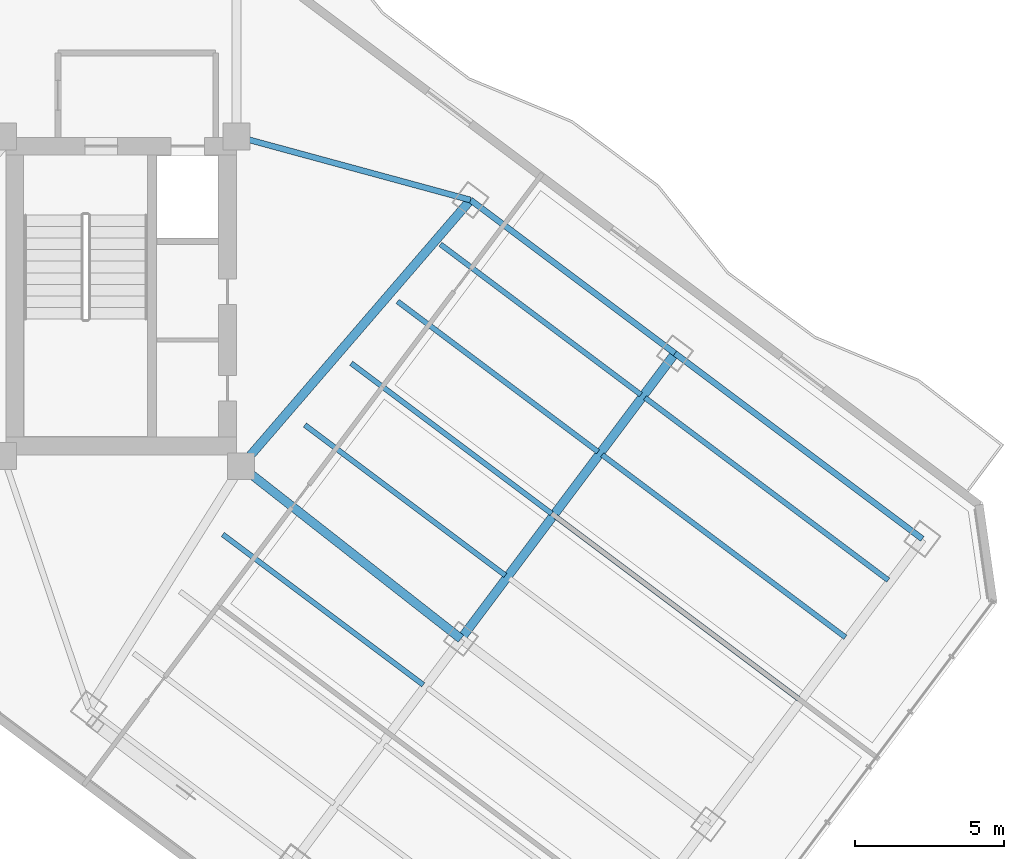
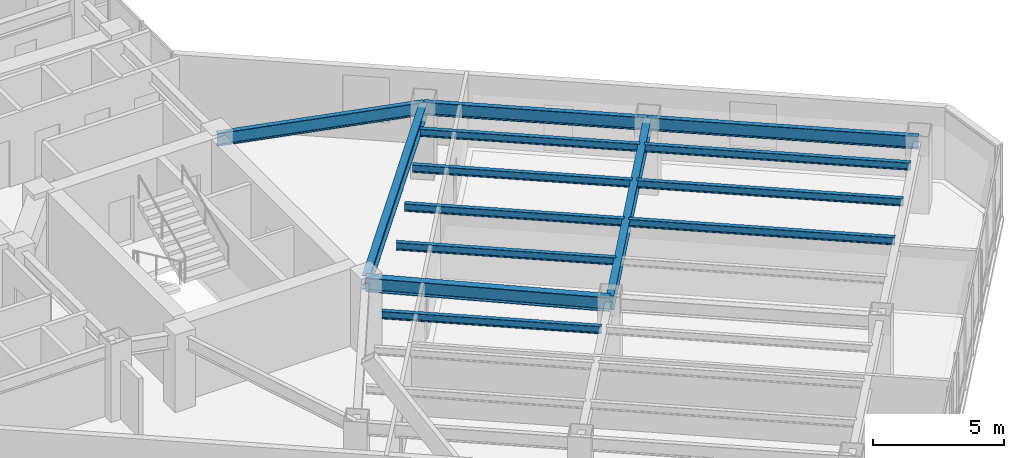
# One storey, part 11 of 30: 14 beams.
"""IFC4 building model written with IfcOpenShell, lengths in metres."""

from ifc_helpers import new_model, si_unit, direction, frame, origin, origin_2d, place, context, subcontext, project, spatial, i_section, extrude, material, material_profile, profile_set, type_object, element, save


model = new_model("IFC4")

# Units and contexts
model_context = context("Model", 3, precision=1e-05, world=origin(), true_north=direction((0.0, 1.0)))
body_context = subcontext(model_context, "Body", "Model", "MODEL_VIEW")
ifc_project = project(units=[si_unit("LENGTHUNIT", "METRE"), si_unit("AREAUNIT", "SQUARE_METRE"), si_unit("VOLUMEUNIT", "CUBIC_METRE"), si_unit("PLANEANGLEUNIT", "RADIAN"), si_unit("MASSUNIT", "GRAM", prefix="KILO")], contexts=[model_context])

# Site, building, storey
site_placement = place(None, origin())
site = spatial("IfcSite", under=ifc_project, at=site_placement, CompositionType="ELEMENT")
building_placement = place(site_placement, origin())
building = spatial("IfcBuilding", under=site, at=building_placement, Name="Hatsunagi Terrace Concourse", CompositionType="ELEMENT")
storey_placement = place(building_placement, frame((0.0, 0.0, 101.25)))
storey = spatial("IfcBuildingStorey", under=building, at=storey_placement, Name="L26", CompositionType="ELEMENT", Elevation=101.25)

# Beams
ifc_material_1 = material(Name="Steel SN490B", Category="steel")
ifc_material_profile_1 = material_profile(ifc_material_1, i_section(OverallWidth=0.175048828125, OverallDepth=0.35009765625, WebThickness=0.007080078125, FlangeThickness=0.010986328125, FilletRadius=0.012939453125, at=origin_2d()), Name="H-350x175x7x11")
ifc_profile_set_1 = profile_set([ifc_material_profile_1], Name="Steel SN490B")
beam_type_1 = type_object("IfcBeamType", Name="HotelJoist_H_350x175", PredefinedType="JOIST", material=ifc_profile_set_1)
for number, where, z_axis, x_axis, name in (
    (1, (43.18798828125, 21.908935546875, 3.175048828125), (0.800003475366, -0.59999536615, 0.0), (0.59999536615, 0.800003475366, 0.0), "Beam J-02 J-L26-SE-2-96"),
    (2, (45.947998046875, 25.589111328125, 3.175048828125), (0.799989573921, -0.600013901187, 0.0), (0.600013901187, 0.799989573921, 0.0), "Beam J-02 J-L26-SE-2-142"),
    (3, (47.508056640625, 27.6689453125, 3.175048828125), (0.800003475366, -0.59999536615, 0.0), (0.59999536615, 0.800003475366, 0.0), "Beam J-02 J-L26-SE-2-168"),
    (4, (49.068115234375, 29.7490234375, 3.175048828125), (0.799989573921, -0.600013901187, 0.0), (0.600013901187, 0.799989573921, 0.0), "Beam J-02 J-L26-SE-2-194"),
    (5, (50.508056640625, 31.6689453125, 3.175048828125), (0.800003475366, -0.59999536615, 0.0), (0.59999536615, 0.800003475366, 0.0), "Beam J-02 J-L26-SE-2-218"),
):
    element("IfcBeam", number, at=place(storey_placement, frame(where, z_axis=z_axis, x_axis=x_axis)), inside=storey, type_object=beam_type_1, Name=name, PredefinedType="JOIST", context=body_context, shape_type="SweptSolid", body=[
        extrude(i_section(OverallWidth=0.175048828125, OverallDepth=0.35009765625, WebThickness=0.007080078125, FlangeThickness=0.010986328125, FilletRadius=0.012939453125, at=origin_2d()), origin(), (0.0, 0.0, 1.0), 8.429931640625),
    ])
beam_1_placement = place(storey_placement, frame((54.387939453125, 22.509033203125, 3.175048828125), z_axis=(0.800005727586, -0.599992363142, 0.0), x_axis=(0.599992363142, 0.800005727586, 0.0)))
element("IfcBeam", 6, at=beam_1_placement, inside=storey, type_object=beam_type_1, Name="Beam J-02 J-L26-SE-3-168", PredefinedType="JOIST", context=body_context, shape_type="SweptSolid", body=[
    extrude(i_section(OverallWidth=0.175048828125, OverallDepth=0.35009765625, WebThickness=0.007080078125, FlangeThickness=0.010986328125, FilletRadius=0.012939453125, at=origin_2d()), origin(), (0.0, 0.0, 1.0), 10.22998046875),
])
beam_2_placement = place(storey_placement, frame((55.947998046875, 24.589111328125, 3.175048828125), z_axis=(0.799994272423, -0.600007636694, 0.0), x_axis=(0.600007636694, 0.799994272423, 0.0)))
element("IfcBeam", 7, at=beam_2_placement, inside=storey, type_object=beam_type_1, Name="Beam J-02 J-L26-SE-3-194", PredefinedType="JOIST", context=body_context, shape_type="SweptSolid", body=[
    extrude(i_section(OverallWidth=0.175048828125, OverallDepth=0.35009765625, WebThickness=0.007080078125, FlangeThickness=0.010986328125, FilletRadius=0.012939453125, at=origin_2d()), origin(), (0.0, 0.0, 1.0), 10.230224609375),
])
beam_3_placement = place(storey_placement, frame((57.387939453125, 26.509033203125, 3.175048828125), z_axis=(0.800005727586, -0.599992363142, 0.0), x_axis=(0.599992363142, 0.800005727586, 0.0)))
element("IfcBeam", 8, at=beam_3_placement, inside=storey, type_object=beam_type_1, Name="Beam J-02 J-L26-SE-3-218", PredefinedType="JOIST", context=body_context, shape_type="SweptSolid", body=[
    extrude(i_section(OverallWidth=0.175048828125, OverallDepth=0.35009765625, WebThickness=0.007080078125, FlangeThickness=0.010986328125, FilletRadius=0.012939453125, at=origin_2d()), origin(), (0.0, 0.0, 1.0), 10.22998046875),
])
ifc_material_2 = material(Name="Steel SN490B", Category="steel")
ifc_material_profile_2 = material_profile(ifc_material_2, i_section(OverallWidth=0.300048828125, OverallDepth=0.64990234375, WebThickness=0.012939453125, FlangeThickness=0.02197265625, FilletRadius=0.01806640625, at=origin_2d()), Name="H-650x300x13x22")
ifc_profile_set_2 = profile_set([ifc_material_profile_2], Name="Steel SN490B")
beam_type_2 = type_object("IfcBeamType", Name="OfficeLowGirder_H_650x300", PredefinedType="BEAM", material=ifc_profile_set_2)
beam_4_placement = place(storey_placement, frame((43.800048828125, 24.199951171875, 3.02490234375), z_axis=(0.652739101421, 0.757582777969, 0.0), x_axis=(-0.757582777969, 0.652739101421, 0.0)))
element("IfcBeam", 9, at=beam_4_placement, inside=storey, type_object=beam_type_2, Name="Beam G-05 BM-L26-SET-1B", PredefinedType="BEAM", context=body_context, shape_type="SweptSolid", body=[
    extrude(i_section(OverallWidth=0.300048828125, OverallDepth=0.64990234375, WebThickness=0.012939453125, FlangeThickness=0.02197265625, FilletRadius=0.01806640625, at=origin_2d()), origin(), (0.0, 0.0, 1.0), 11.8271484375),
])
beam_5_placement = place(storey_placement, frame((43.800048828125, 24.199951171875, 3.02490234375), z_axis=(0.787049441068, -0.616889923175, 0.0), x_axis=(0.616889923175, 0.787049441068, 0.0)))
element("IfcBeam", 10, at=beam_5_placement, inside=storey, type_object=beam_type_2, Name="Beam G-05 BM-L26-SE-M2", PredefinedType="BEAM", context=body_context, shape_type="SweptSolid", body=[
    extrude(i_section(OverallWidth=0.300048828125, OverallDepth=0.64990234375, WebThickness=0.012939453125, FlangeThickness=0.02197265625, FilletRadius=0.01806640625, at=origin_2d()), origin(), (0.0, 0.0, 1.0), 9.402099609375),
])
beam_6_placement = place(storey_placement, frame((51.199951171875, 18.39990234375, 3.02490234375), z_axis=(0.59999348959, 0.800004882766, 0.0), x_axis=(-0.800004882766, 0.59999348959, 0.0)))
element("IfcBeam", 11, at=beam_6_placement, inside=storey, type_object=beam_type_2, Name="Beam G-05 BM-L26-SET-2B", PredefinedType="BEAM", context=body_context, shape_type="SweptSolid", body=[
    extrude(i_section(OverallWidth=0.300048828125, OverallDepth=0.64990234375, WebThickness=0.012939453125, FlangeThickness=0.02197265625, FilletRadius=0.01806640625, at=origin_2d()), origin(), (0.0, 0.0, 1.0), 12.0),
])
ifc_material_3 = material(Name="Steel SN490B", Category="steel")
ifc_material_profile_3 = material_profile(ifc_material_3, i_section(OverallWidth=0.199951171875, OverallDepth=0.60009765625, WebThickness=0.010986328125, FlangeThickness=0.01708984375, FilletRadius=0.01806640625, at=origin_2d()), Name="H-600x200x11x17")
ifc_profile_set_3 = profile_set([ifc_material_profile_3], Name="Steel SN490B")
beam_type_3 = type_object("IfcBeamType", Name="PerimeterSpandrel_H_600x200", PredefinedType="SPANDREL", material=ifc_profile_set_3)
beam_7_placement = place(storey_placement, frame((43.64990234375, 35.300048828125, 3.050048828125), z_axis=(0.964958359286, -0.262403057994, 0.0), x_axis=(0.262403057994, 0.964958359286, 0.0)))
element("IfcBeam", 12, at=beam_7_placement, inside=storey, type_object=beam_type_3, Name="Beam SP-01 BM-L26-SE-NE0", PredefinedType="SPANDREL", context=body_context, shape_type="SweptSolid", body=[
    extrude(i_section(OverallWidth=0.199951171875, OverallDepth=0.60009765625, WebThickness=0.010986328125, FlangeThickness=0.01708984375, FilletRadius=0.01806640625, at=origin_2d()), origin(), (0.0, 0.0, 1.0), 8.156005859375),
])
beam_8_placement = place(storey_placement, frame((51.52001953125, 33.159912109375, 3.050048828125), z_axis=(0.8, -0.6, 0.0), x_axis=(0.6, 0.8, 0.0)))
element("IfcBeam", 13, at=beam_8_placement, inside=storey, type_object=beam_type_3, Name="Beam SP-01 BM-L26-SE-NE2", PredefinedType="SPANDREL", context=body_context, shape_type="SweptSolid", body=[
    extrude(i_section(OverallWidth=0.199951171875, OverallDepth=0.60009765625, WebThickness=0.010986328125, FlangeThickness=0.01708984375, FilletRadius=0.01806640625, at=origin_2d()), origin(), (0.0, 0.0, 1.0), 8.599853515625),
])
beam_9_placement = place(storey_placement, frame((58.39990234375, 28.0, 3.050048828125), z_axis=(0.800002816985, -0.599996244001, 0.0), x_axis=(0.599996244001, 0.800002816985, 0.0)))
element("IfcBeam", 14, at=beam_9_placement, inside=storey, type_object=beam_type_3, Name="Beam SP-01 BM-L26-SE-NE3", PredefinedType="SPANDREL", context=body_context, shape_type="SweptSolid", body=[
    extrude(i_section(OverallWidth=0.199951171875, OverallDepth=0.60009765625, WebThickness=0.010986328125, FlangeThickness=0.01708984375, FilletRadius=0.01806640625, at=origin_2d()), origin(), (0.0, 0.0, 1.0), 10.400146484375),
])

save(model, "model.ifc")
